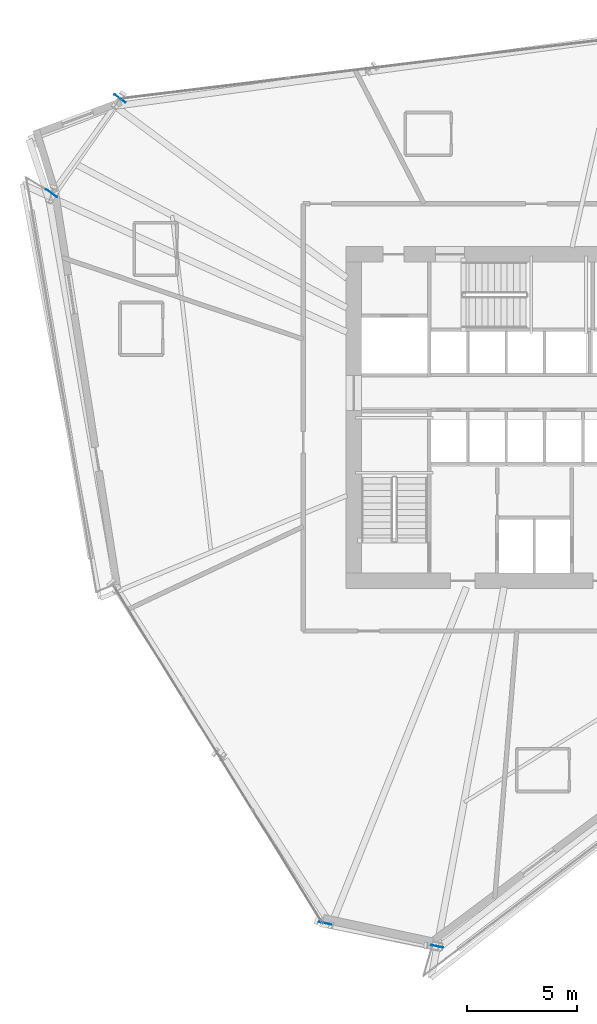
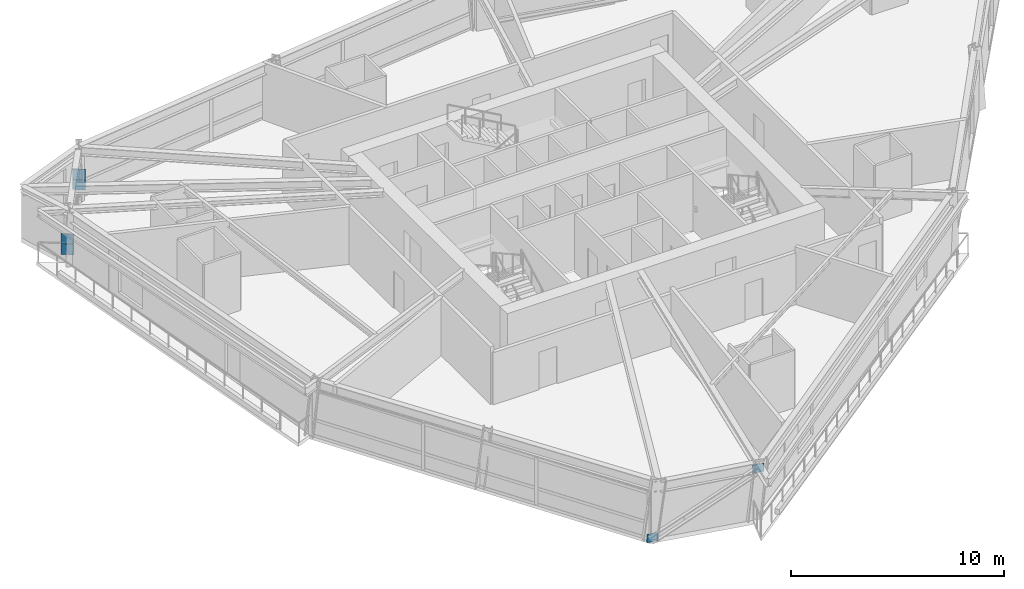
# One storey, part 10 of 18: 6 plates.
"""IFC4 building model written with IfcOpenShell, lengths in metres."""

from ifc_helpers import new_model, si_unit, direction, frame, origin, origin_2d, place, context, subcontext, project, spatial, rectangle, extrude, source, transform, mapped, material, type_object, element, save


model = new_model("IFC4")

# Units and contexts
model_context = context("Model", 3, precision=1e-05, world=origin(), true_north=direction((0.0, 1.0)))
body_context = subcontext(model_context, "Body", "Model", "MODEL_VIEW")
ifc_project = project(units=[si_unit("LENGTHUNIT", "METRE"), si_unit("AREAUNIT", "SQUARE_METRE"), si_unit("VOLUMEUNIT", "CUBIC_METRE"), si_unit("PLANEANGLEUNIT", "RADIAN"), si_unit("MASSUNIT", "GRAM", prefix="KILO")], contexts=[model_context])

# Site, building, storey
site_placement = place(None, origin())
site = spatial("IfcSite", under=ifc_project, at=site_placement, CompositionType="ELEMENT")
building_placement = place(site_placement, origin())
building = spatial("IfcBuilding", under=site, at=building_placement, Name="Olszyna Solenne Hotel", CompositionType="ELEMENT")
storey_placement = place(building_placement, frame((0.0, 0.0, 123.449951171875)))
storey = spatial("IfcBuildingStorey", under=building, at=storey_placement, Name="L32", CompositionType="ELEMENT", Elevation=123.449951171875)

# Plates
ifc_material_1 = material(Name="Steel S460M", Category="steel")
plate_type_1 = type_object("IfcPlateType", Name="GP-CAP2", PredefinedType="USERDEFINED", material=ifc_material_1)
shared_shape_1 = source(origin(), body_context, "Body", "SweptSolid", [
    extrude(rectangle(XDim=0.030029296875, YDim=0.6201171875, at=origin_2d()), origin(), (0.0, 0.0, 1.0), 0.6201171875),
])
for number, where, z_axis, x_axis, name in (
    (1, (19.08203125, 41.156005859375, 1.0400390625), (0.0, 0.0, 1.0), (-0.584957674987, -0.811063818989, 0.0), "Hollow section end-cap plate GP-CAP2 CP-PR-M-L32-PR1-1"),
    (2, (15.9619140625, 36.829345703125, 1.0400390625), (0.0, 0.0, 1.0), (-0.584957674987, -0.811063818989, 0.0), "Hollow section end-cap plate GP-CAP2 CP-PR-M-L32-PR1-2"),
    (3, (19.08203125, 41.156005859375, 0.469970703125), (0.0, 0.0, 1.0), (-0.584957674987, -0.811063818989, 0.0), "Hollow section end-cap plate GP-CAP2 CP-PR-M-L32-PR2-1"),
    (4, (15.9619140625, 36.829345703125, 0.469970703125), (0.0, 0.0, 1.0), (-0.584957674987, -0.811063818989, 0.0), "Hollow section end-cap plate GP-CAP2 CP-PR-M-L32-PR2-2"),
):
    element("IfcPlate", number, at=place(storey_placement, frame(where, z_axis=z_axis, x_axis=x_axis)), inside=storey, type_object=plate_type_1, Name=name, ObjectType="GUSSET_PLATE", PredefinedType="USERDEFINED", context=body_context, shape_type="MappedRepresentation", body=[
        mapped(shared_shape_1, transform((0.0, 0.0, 0.0), x_axis=(1.0, 0.0, 0.0), y_axis=(0.0, 1.0, 0.0), z_axis=(0.0, 0.0, 1.0), scale=1.0)),
    ])
ifc_material_2 = material(Name="Steel S355J2", Category="steel")
plate_type_2 = type_object("IfcPlateType", Name="GP-ND2", PredefinedType="USERDEFINED", material=ifc_material_2)
shared_shape_2 = source(origin(), body_context, "Body", "SweptSolid", [
    extrude(rectangle(XDim=0.56005859375, YDim=0.02001953125, at=origin_2d()), origin(), (0.0, 0.0, 1.0), 0.47998046875),
])
for number, where, z_axis, x_axis, name in (
    (5, (28.44580078125, 3.510498046875, -0.163330078125), (0.0, 0.0, 1.0), (0.979434632023, -0.201761744624, 0.0), "Brace end connection gusset plate GP-ND2 EP-BR-L32-3-1"),
    (6, (33.566650390625, 2.455322265625, 2.66357421875), (0.0, 0.0, 1.0), (0.979434632023, -0.201761744624, 0.0), "Brace end connection gusset plate GP-ND2 EP-BR-L32-3-2"),
):
    element("IfcPlate", number, at=place(storey_placement, frame(where, z_axis=z_axis, x_axis=x_axis)), inside=storey, type_object=plate_type_2, Name=name, ObjectType="GUSSET_PLATE", PredefinedType="USERDEFINED", context=body_context, shape_type="MappedRepresentation", body=[
        mapped(shared_shape_2, transform((0.0, 0.0, 0.0), x_axis=(1.0, 0.0, 0.0), y_axis=(0.0, 1.0, 0.0), z_axis=(0.0, 0.0, 1.0), scale=1.0)),
    ])

save(model, "model.ifc")
